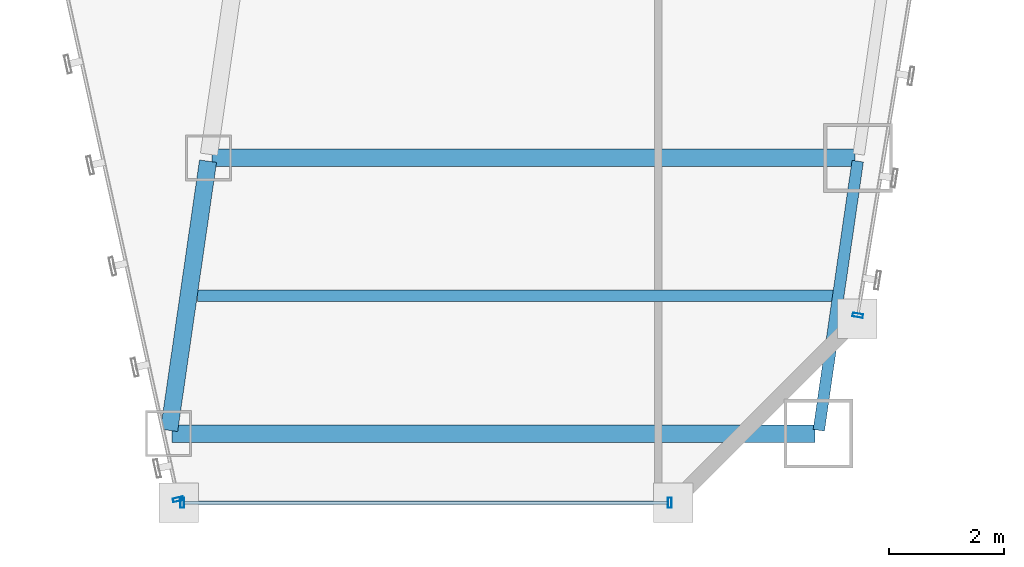
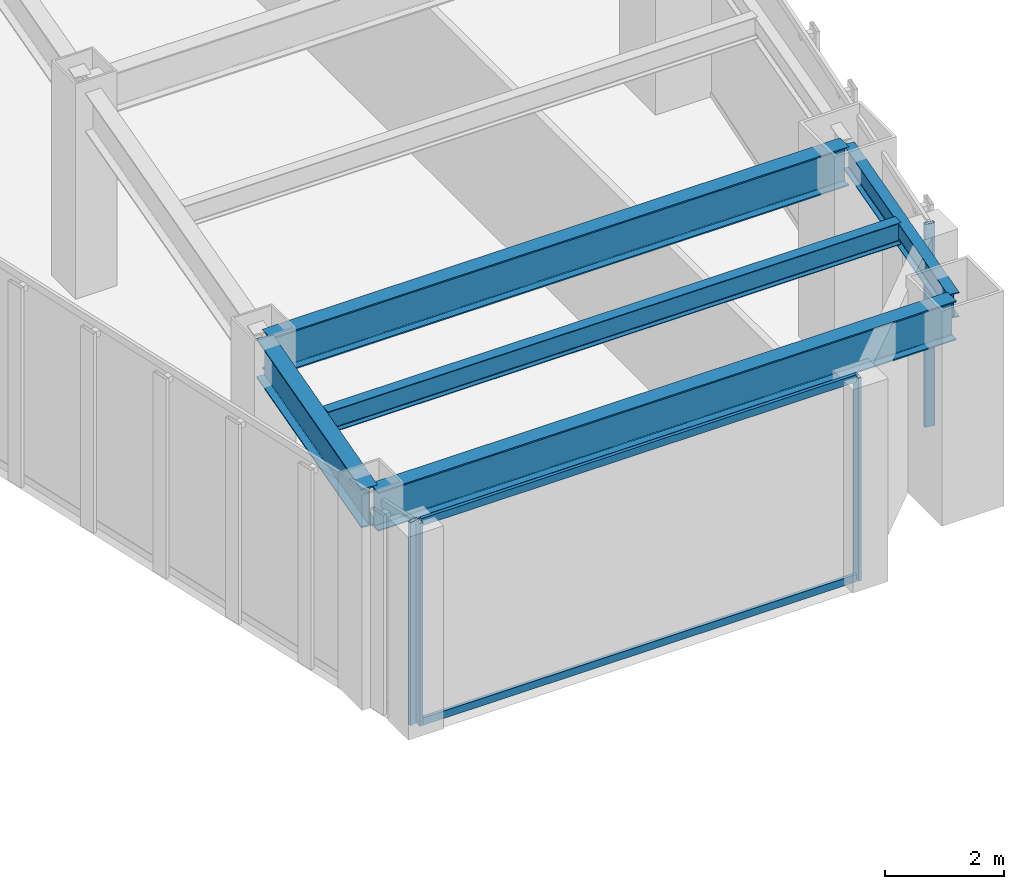
# One storey, part 15 of 47: 6 members, 5 beams, 3 elements without a shape of their own.
"""IFC4 building model written with IfcOpenShell, lengths in metres."""

from ifc_helpers import new_model, si_unit, direction, frame, origin, origin_2d, place, context, subcontext, project, spatial, hollow_rectangle, i_section, extrude, material, material_profile, profile_set, type_object, element, aggregate, save


model = new_model("IFC4")

# Units and contexts
model_context = context("Model", 3, precision=1e-05, world=origin(), true_north=direction((0.0, 1.0)))
body_context = subcontext(model_context, "Body", "Model", "MODEL_VIEW")
ifc_project = project(units=[si_unit("LENGTHUNIT", "METRE"), si_unit("AREAUNIT", "SQUARE_METRE"), si_unit("VOLUMEUNIT", "CUBIC_METRE"), si_unit("PLANEANGLEUNIT", "RADIAN"), si_unit("MASSUNIT", "GRAM", prefix="KILO")], contexts=[model_context])

# Site, building, storey
site_placement = place(None, origin())
site = spatial("IfcSite", under=ifc_project, at=site_placement, CompositionType="ELEMENT")
building_placement = place(site_placement, origin())
building = spatial("IfcBuilding", under=site, at=building_placement, Name="Saevonmaru Cultural Tower", CompositionType="ELEMENT")
storey_placement = place(building_placement, frame((0.0, 0.0, 78.0)))
storey = spatial("IfcBuildingStorey", under=building, at=storey_placement, Name="L16", CompositionType="ELEMENT", Elevation=78.0)

# Beams
ifc_material_1 = material(Name="Steel SM420", Category="steel")
ifc_material_profile_1 = material_profile(ifc_material_1, i_section(OverallWidth=0.300048828125, OverallDepth=0.800048828125, WebThickness=0.013916015625, FlangeThickness=0.02587890625, FilletRadius=0.028076171875, at=origin_2d()), Name="H-800x300x14x26")
ifc_profile_set_1 = profile_set([ifc_material_profile_1], Name="Steel SM420")
beam_type_1 = type_object("IfcBeamType", Name="BM-G-H800", PredefinedType="BEAM", material=ifc_profile_set_1)
beam_1_placement = place(storey_placement, frame((36.231689453125, 3.259521484375, 3.75), z_axis=(0.143083234893, 0.989710658674, 0.0), x_axis=(-0.989710658674, 0.143083234893, 0.0)))
element("IfcBeam", 1, at=beam_1_placement, inside=storey, type_object=beam_type_1, Name="L16 East Atrium Girder 1", PredefinedType="BEAM", context=body_context, shape_type="SweptSolid", body=[
    extrude(i_section(OverallWidth=0.300048828125, OverallDepth=0.800048828125, WebThickness=0.013916015625, FlangeThickness=0.02587890625, FilletRadius=0.028076171875, at=origin_2d()), origin(), (0.0, 0.0, 1.0), 4.729736328125),
])
for number, where, z_axis, x_axis, name in (
    (2, (36.282958984375, 3.199951171875, 3.75), (1.0, 0.0, 0.0), (0.0, 1.0, 0.0), "L16 East Wing Transverse Girder 1"),
    (3, (36.97705078125, 8.0, 3.75), (1.0, 0.0, 0.0), (0.0, 1.0, 0.0), "L16 East Wing Transverse Girder 2"),
):
    element("IfcBeam", number, at=place(storey_placement, frame(where, z_axis=z_axis, x_axis=x_axis)), inside=storey, type_object=beam_type_1, Name=name, PredefinedType="BEAM", context=body_context, shape_type="SweptSolid", body=[
        extrude(i_section(OverallWidth=0.300048828125, OverallDepth=0.800048828125, WebThickness=0.013916015625, FlangeThickness=0.02587890625, FilletRadius=0.028076171875, at=origin_2d()), origin(), (0.0, 0.0, 1.0), 11.179931640625),
    ])
ifc_material_2 = material(Name="Steel SM355", Category="steel")
ifc_material_profile_2 = material_profile(ifc_material_2, i_section(OverallWidth=0.199951171875, OverallDepth=0.449951171875, WebThickness=0.009033203125, FlangeThickness=0.013916015625, FilletRadius=0.01806640625, at=origin_2d()), Name="H-450x200x9x14")
ifc_profile_set_2 = profile_set([ifc_material_profile_2], Name="Steel SM355")
beam_type_2 = type_object("IfcBeamType", Name="BM-J-H450", PredefinedType="JOIST", material=ifc_profile_set_2)
beam_2_placement = place(storey_placement, frame((36.72802734375, 5.60009765625, 3.925048828125), z_axis=(1.0, 0.0, 0.0), x_axis=(0.0, 1.0, 0.0)))
element("IfcBeam", 4, at=beam_2_placement, inside=storey, type_object=beam_type_2, Name="L16 East Wing Floor Joist 1", PredefinedType="JOIST", context=body_context, shape_type="SweptSolid", body=[
    extrude(i_section(OverallWidth=0.199951171875, OverallDepth=0.449951171875, WebThickness=0.009033203125, FlangeThickness=0.013916015625, FilletRadius=0.01806640625, at=origin_2d()), origin(), (0.0, 0.0, 1.0), 11.08203125),
])
ifc_material_profile_3 = material_profile(ifc_material_2, i_section(OverallWidth=0.199951171875, OverallDepth=0.5, WebThickness=0.010009765625, FlangeThickness=0.01611328125, FilletRadius=0.02001953125, at=origin_2d()), Name="H-500x200x10x16")
ifc_profile_set_3 = profile_set([ifc_material_profile_3], Name="Steel SM355")
beam_type_3 = type_object("IfcBeamType", Name="BM-SP-H500", PredefinedType="SPANDREL", material=ifc_profile_set_3)
beam_3_placement = place(storey_placement, frame((47.531494140625, 3.259521484375, 3.89990234375), z_axis=(0.14313379491, 0.989703347855, 0.0), x_axis=(-0.989703347855, 0.14313379491, 0.0)))
element("IfcBeam", 5, at=beam_3_placement, inside=storey, type_object=beam_type_3, Name="L16 East Splayed Spandrel 1", PredefinedType="SPANDREL", context=body_context, shape_type="SweptSolid", body=[
    extrude(i_section(OverallWidth=0.199951171875, OverallDepth=0.5, WebThickness=0.010009765625, FlangeThickness=0.01611328125, FilletRadius=0.02001953125, at=origin_2d()), origin(), (0.0, 0.0, 1.0), 4.729736328125),
])

# Curtain wall, member
ifc_material_3 = material(Name="Satin Bronze Anodised Aluminium", Category="aluminium")
curtain_wall_type = type_object("IfcCurtainWallType", Name="CW-TYP-A", PredefinedType="NOTDEFINED", material=ifc_material_3)
curtain_wall_1_placement = place(storey_placement, origin())
curtain_wall_1 = element("IfcCurtainWall", 6, at=curtain_wall_1_placement, inside=storey, type_object=curtain_wall_type, Name="L16 Unitised Curtain Wall E5", PredefinedType="NOTDEFINED")
ifc_material_profile_4 = material_profile(ifc_material_3, hollow_rectangle(XDim=0.06494140625, YDim=0.179931640625, WallThickness=0.00390625, at=origin_2d()), Name="ALU-MULL-180x65x4")
ifc_profile_set_4 = profile_set([ifc_material_profile_4], Name="Satin Bronze Anodised Aluminium")
member_type_1 = type_object("IfcMemberType", Name="ML-CW-180x65", PredefinedType="MULLION", material=ifc_profile_set_4)
member_1_placement = place(storey_placement, frame((36.38720703125, 2.05859375, 0.0), z_axis=(0.0, 0.0, 1.0), x_axis=(0.215413319953, -0.976522965212, 0.0)))
member_1 = element("IfcMember", 7, at=member_1_placement, type_object=member_type_1, Name="CW-TW-L16-E5 mullion 2", PredefinedType="MULLION", context=body_context, shape_type="SweptSolid", body=[
    extrude(hollow_rectangle(XDim=0.06494140625, YDim=0.179931640625, WallThickness=0.00390625, at=origin_2d()), origin(), (0.0, 0.0, 1.0), 4.14990234375),
])
aggregate(curtain_wall_1, [member_1])

# Curtain wall, members
curtain_wall_2_placement = place(storey_placement, origin())
curtain_wall_2 = element("IfcCurtainWall", 8, at=curtain_wall_2_placement, inside=storey, type_object=curtain_wall_type, Name="L16 Unitised Curtain Wall E6", PredefinedType="NOTDEFINED")
member_2_placement = place(storey_placement, frame((36.4599609375, 2.0, 0.0), z_axis=(0.0, 0.0, 1.0), x_axis=(1.0, 0.0, 0.0)))
member_2 = element("IfcMember", 9, at=member_2_placement, type_object=member_type_1, Name="CW-TW-L16-E6 mullion 1", PredefinedType="MULLION", context=body_context, shape_type="SweptSolid", body=[
    extrude(hollow_rectangle(XDim=0.06494140625, YDim=0.179931640625, WallThickness=0.00390625, at=origin_2d()), origin(), (0.0, 0.0, 1.0), 4.14990234375),
])
member_3_placement = place(storey_placement, frame((44.93994140625, 2.0, 0.0), z_axis=(0.0, 0.0, 1.0), x_axis=(1.0, 0.0, 0.0)))
member_3 = element("IfcMember", 10, at=member_3_placement, type_object=member_type_1, Name="CW-TW-L16-E6 mullion 2", PredefinedType="MULLION", context=body_context, shape_type="SweptSolid", body=[
    extrude(hollow_rectangle(XDim=0.06494140625, YDim=0.179931640625, WallThickness=0.00390625, at=origin_2d()), origin(), (0.0, 0.0, 1.0), 4.14990234375),
])

# Curtain wall, member
curtain_wall_3_placement = place(storey_placement, origin())
curtain_wall_3 = element("IfcCurtainWall", 11, at=curtain_wall_3_placement, inside=storey, type_object=curtain_wall_type, Name="L16 Unitised Curtain Wall E8", PredefinedType="NOTDEFINED")
member_4_placement = place(storey_placement, frame((48.209716796875, 5.25927734375, 0.0), z_axis=(0.0, 0.0, 1.0), x_axis=(0.161708868641, 0.986838508472, 0.0)))
member_4 = element("IfcMember", 12, at=member_4_placement, type_object=member_type_1, Name="CW-TW-L16-E8 mullion 1", PredefinedType="MULLION", context=body_context, shape_type="SweptSolid", body=[
    extrude(hollow_rectangle(XDim=0.06494140625, YDim=0.179931640625, WallThickness=0.00390625, at=origin_2d()), origin(), (0.0, 0.0, 1.0), 4.14990234375),
])
aggregate(curtain_wall_3, [member_4])

# Member
ifc_material_profile_5 = material_profile(ifc_material_3, hollow_rectangle(XDim=0.06494140625, YDim=0.14990234375, WallThickness=0.00390625, at=origin_2d()), Name="ALU-TRAN-150x65x4")
ifc_profile_set_5 = profile_set([ifc_material_profile_5], Name="Satin Bronze Anodised Aluminium")
member_type_2 = type_object("IfcMemberType", Name="TR-CW-150x65", PredefinedType="USERDEFINED", material=ifc_profile_set_5)
member_5_placement = place(storey_placement, frame((36.492431640625, 2.0, 0.032470703125), z_axis=(1.0, 0.0, 0.0), x_axis=(0.0, 1.0, 0.0)))
member_5 = element("IfcMember", 13, at=member_5_placement, type_object=member_type_2, Name="CW-TW-L16-E6 transom 1.1", ObjectType="TRANSOM", PredefinedType="USERDEFINED", context=body_context, shape_type="SweptSolid", body=[
    extrude(hollow_rectangle(XDim=0.06494140625, YDim=0.14990234375, WallThickness=0.00390625, at=origin_2d()), origin(), (0.0, 0.0, 1.0), 8.4150390625),
])

member_6_placement = place(storey_placement, frame((36.492431640625, 2.0, 4.117431640625), z_axis=(1.0, 0.0, 0.0), x_axis=(0.0, 1.0, 0.0)))
member_6 = element("IfcMember", 14, at=member_6_placement, type_object=member_type_2, Name="CW-TW-L16-E6 transom 1.2", ObjectType="TRANSOM", PredefinedType="USERDEFINED", context=body_context, shape_type="SweptSolid", body=[
    extrude(hollow_rectangle(XDim=0.06494140625, YDim=0.14990234375, WallThickness=0.00390625, at=origin_2d()), origin(), (0.0, 0.0, 1.0), 8.4150390625),
])

aggregate(curtain_wall_2, [member_2, member_3, member_5, member_6])

save(model, "model.ifc")
